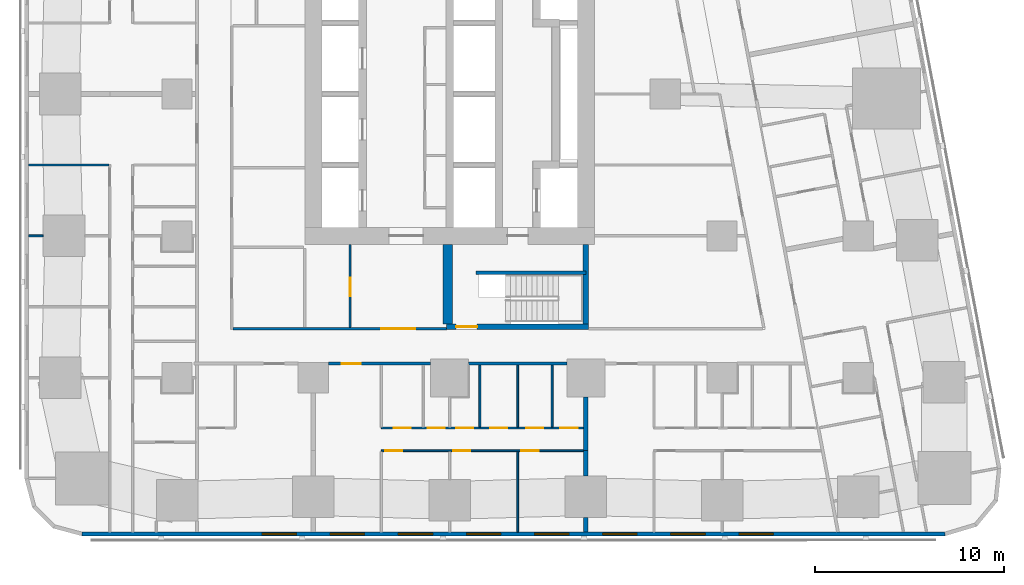
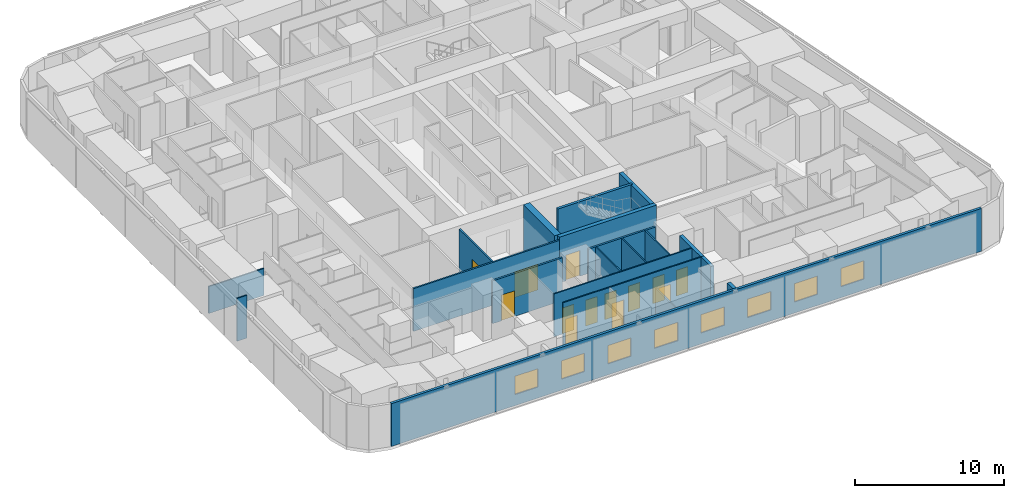
# One storey, part 3 of 15: 20 walls, 13 doors, 8 windows, 21 openings.
"""IFC4 building model written with IfcOpenShell, lengths in metres."""

import ifcopenshell
import ifcopenshell.guid

model = None  # the IFC model being written
_history = None  # IfcOwnerHistory: only IFC2X3 demands one
_inside = {}  # id of a spatial element -> (the spatial element, [elements in it])
_under = {}  # id of a project, library or spatial element -> (it, [spatial elements below it])
_declared = {}  # id of a project -> (the project, [libraries it declares])
_typed = {}  # id of a type object -> (the type object, [elements of that type])
_made_of = {}  # id of a material, layer set ... -> (it, [elements and type objects made of it])


def new_model(schema):
    """Start an empty IFC model of exactly this schema.

    Asked for "IFC4X3", IfcOpenShell would pick the latest addendum, in which some entities
    have other attributes; the version numbers below select the first issue.
    IFC2X3 requires an IfcOwnerHistory on every rooted entity: one is made here for all.
    """
    global model, _history
    if schema == "IFC4X3":
        model = ifcopenshell.file(schema_version=(4, 3, 0, 0))
    else:
        model = ifcopenshell.file(schema=schema)
    _inside.clear()
    _under.clear()
    _declared.clear()
    _typed.clear()
    _made_of.clear()
    _history = None
    if model.schema == "IFC2X3":
        org = make("IfcOrganization", Name="unknown")
        user = make(
            "IfcPersonAndOrganization",
            ThePerson=make("IfcPerson", FamilyName="unknown"),
            TheOrganization=org,
        )
        app = make(
            "IfcApplication",
            ApplicationDeveloper=org,
            Version="unknown",
            ApplicationFullName="unknown",
            ApplicationIdentifier="unknown",
        )
        _history = make(
            "IfcOwnerHistory",
            OwningUser=user,
            OwningApplication=app,
            ChangeAction="ADDED",
            CreationDate=0,
        )
    return model


def make(cls, **values):
    """One entity of the class cls with the attributes given. An attribute that is None is left unset."""
    return model.create_entity(
        cls, **{name: value for name, value in values.items() if value is not None}
    )


def rooted(cls, **values):
    """An entity with a GlobalId (a new one), such as an element, a storey or a relation."""
    return make(cls, GlobalId=ifcopenshell.guid.new(), OwnerHistory=_history, **values)


def si_unit(unit_type, name, prefix=None):
    """IfcSIUnit, for example si_unit("LENGTHUNIT", "METRE", prefix="MILLI")."""
    return make("IfcSIUnit", UnitType=unit_type, Prefix=prefix, Name=name)


def assignment(units):
    """IfcUnitAssignment: the units of a project."""
    return None if units is None else make("IfcUnitAssignment", Units=units)


def point(xyz):
    """IfcCartesianPoint."""
    return None if xyz is None else make("IfcCartesianPoint", Coordinates=xyz)


def direction(xyz):
    """IfcDirection."""
    return None if xyz is None else make("IfcDirection", DirectionRatios=xyz)


def frame(location, z_axis=None, x_axis=None):
    """IfcAxis2Placement3D, a coordinate frame: its origin and axes. An axis left out is left unset."""
    return make(
        "IfcAxis2Placement3D",
        Location=point(location),
        Axis=direction(z_axis),
        RefDirection=direction(x_axis),
    )


def frame_2d(location, x_axis=None):
    """IfcAxis2Placement2D, a coordinate frame in the plane: its origin and x axis."""
    return make(
        "IfcAxis2Placement2D", Location=point(location), RefDirection=direction(x_axis)
    )


def origin():
    """The frame at (0, 0, 0) with its axes left unset."""
    return frame((0.0, 0.0, 0.0))


def place(relative_to, where):
    """IfcLocalPlacement: puts the frame where relative to a parent placement (None: the world)."""
    return make(
        "IfcLocalPlacement", PlacementRelTo=relative_to, RelativePlacement=where
    )


def context(
    kind, dimensions, precision=None, world=None, true_north=None, identifier=None
):
    """IfcGeometricRepresentationContext, for example the 3D "Model" context."""
    return make(
        "IfcGeometricRepresentationContext",
        ContextIdentifier=identifier,
        ContextType=kind,
        CoordinateSpaceDimension=dimensions,
        Precision=precision,
        WorldCoordinateSystem=world,
        TrueNorth=true_north,
    )


def subcontext(parent, identifier, kind, view, scale=None):
    """IfcGeometricRepresentationSubContext, for example "Body" below "Model"."""
    return make(
        "IfcGeometricRepresentationSubContext",
        ContextIdentifier=identifier,
        ContextType=kind,
        ParentContext=parent,
        TargetScale=scale,
        TargetView=view,
    )


def project(units=None, contexts=None):
    """IfcProject with its units and contexts."""
    return rooted(
        "IfcProject",
        Name="project",
        RepresentationContexts=contexts,
        UnitsInContext=assignment(units),
    )


def spatial(cls, under=None, at=None, **own):
    """A site, building, storey or space (cls), placed at a placement, below another one or the project."""
    s = rooted(cls, ObjectPlacement=at, **own)
    if under is not None:
        _under.setdefault(under.id(), (under, []))[1].append(s)
    return s


def profile(cls, at=None, kind="AREA", **sizes):
    """A parametric profile (cls). Its sizes go by their IFC names, for example OverallWidth=200.0."""
    return make(cls, ProfileType=kind, Position=at, **sizes)


def rectangle(**sizes):
    """IfcRectangleProfileDef."""
    return profile("IfcRectangleProfileDef", **sizes)


def extrude(swept, where, along, depth):
    """IfcExtrudedAreaSolid: the profile swept, set in the frame where, extruded along a direction by depth."""
    return make(
        "IfcExtrudedAreaSolid",
        SweptArea=swept,
        Position=where,
        ExtrudedDirection=direction(along),
        Depth=depth,
    )


def shape(context_of_items, identifier, shape_type, items):
    """IfcShapeRepresentation: the items that make up one representation, for example the "Body"."""
    return make(
        "IfcShapeRepresentation",
        ContextOfItems=context_of_items,
        RepresentationIdentifier=identifier,
        RepresentationType=shape_type,
        Items=items,
    )


def material(Name=None, Category=None):
    """IfcMaterial."""
    return make("IfcMaterial", Name=Name, Category=Category)


def layer(
    of_material, thickness, ventilated=None, Name=None, Category=None, Priority=None
):
    """IfcMaterialLayer: one layer of a wall or slab, of a material (None: an air gap)."""
    return make(
        "IfcMaterialLayer",
        Material=of_material,
        LayerThickness=thickness,
        IsVentilated=ventilated,
        Name=Name,
        Category=Category,
        Priority=Priority,
    )


def layer_set(layers, Name=None):
    """IfcMaterialLayerSet."""
    return make("IfcMaterialLayerSet", MaterialLayers=layers, LayerSetName=Name)


def made_of(thing, what):
    """Note that an element or type object is made of a material, layer set ...; save() writes the relation."""
    if what is not None:
        _made_of.setdefault(what.id(), (what, []))[1].append(thing)
    return thing


def type_object(cls, material=None, **own):
    """A type object (cls), such as IfcWallType, which elements share."""
    return made_of(rooted(cls, **own), material)


def element(
    cls,
    number,
    at=None,
    inside=None,
    cuts=None,
    type_object=None,
    material=None,
    context=None,
    identifier="Body",
    shape_type=None,
    held_by="IfcProductDefinitionShape",
    body=None,
    shapes=None,
    **own,
):
    """One element of the class cls, such as IfcWall. Its Tag is "e" and its number.

    at: its placement. inside: the storey or other place that contains it. cuts: it is an
    opening in that element (IfcRelVoidsElement). A single representation is given by context,
    identifier, shape_type and body (its items); several are given by shapes. held_by: the class
    of the entity that holds the representations. save() writes the other relations.
    """
    e = rooted(cls, Tag="e%d" % number, ObjectPlacement=at, **own)
    if body is not None:
        shapes = [shape(context, identifier, shape_type, body)]
    if shapes is not None:
        e.Representation = make(held_by, Representations=shapes)
    if inside is not None:
        _inside.setdefault(inside.id(), (inside, []))[1].append(e)
    if cuts is not None:
        rooted(
            "IfcRelVoidsElement", RelatingBuildingElement=cuts, RelatedOpeningElement=e
        )
    if type_object is not None:
        _typed.setdefault(type_object.id(), (type_object, []))[1].append(e)
    return made_of(e, material)


def fill(opening, filler):
    """IfcRelFillsElement: the door or window that sits in an opening."""
    return rooted(
        "IfcRelFillsElement",
        RelatingOpeningElement=opening,
        RelatedBuildingElement=filler,
    )


def aggregate(whole, parts):
    """IfcRelAggregates: a whole, such as a stair, and the parts it consists of."""
    return rooted("IfcRelAggregates", RelatingObject=whole, RelatedObjects=parts)


def save(model, path):
    """Write the relations noted so far, then the file.

    IfcRelAggregates (storeys below a building ...), IfcRelContainedInSpatialStructure (elements
    in a storey), IfcRelDefinesByType, IfcRelAssociatesMaterial and IfcRelDeclares: one each for
    every whole, place, type object, material and project.
    """
    for whole, parts in _under.values():
        aggregate(whole, parts)
    for where, things in _inside.values():
        rooted(
            "IfcRelContainedInSpatialStructure",
            RelatedElements=things,
            RelatingStructure=where,
        )
    for kind, things in _typed.values():
        rooted("IfcRelDefinesByType", RelatedObjects=things, RelatingType=kind)
    for what, things in _made_of.values():
        rooted("IfcRelAssociatesMaterial", RelatedObjects=things, RelatingMaterial=what)
    for by, libraries in _declared.values():
        rooted("IfcRelDeclares", RelatingContext=by, RelatedDefinitions=libraries)
    model.write(path)


model = new_model("IFC4")

# Units and contexts
model_context = context("Model", 3, precision=1e-05, world=origin(), true_north=direction((0.0, 1.0)))
body_context = subcontext(model_context, "Body", "Model", "MODEL_VIEW")
ifc_project = project(units=[si_unit("LENGTHUNIT", "METRE"), si_unit("AREAUNIT", "SQUARE_METRE"), si_unit("VOLUMEUNIT", "CUBIC_METRE"), si_unit("PLANEANGLEUNIT", "RADIAN"), si_unit("MASSUNIT", "GRAM", prefix="KILO")], contexts=[model_context])

# Site, building, storey
site_placement = place(None, origin())
site = spatial("IfcSite", under=ifc_project, at=site_placement, CompositionType="ELEMENT")
building_placement = place(site_placement, origin())
building = spatial("IfcBuilding", under=site, at=building_placement, Name="Sheger Commons Tower", CompositionType="ELEMENT")
storey_placement = place(building_placement, frame((0.0, 0.0, 77.89990234375)))
storey = spatial("IfcBuildingStorey", under=building, at=storey_placement, Name="L19", CompositionType="ELEMENT", Elevation=77.89990234375)

# Wall
ifc_material_1 = material(Name="Hollow concrete block masonry, skimmed both sides", Category="masonry")
ifc_layer_1 = layer(ifc_material_1, 0.14990234375)
ifc_layer_set_1 = layer_set([ifc_layer_1], Name="CORRIDOR WALL 150")
wall_type_1 = type_object("IfcWallType", Name="CORRIDOR WALL 150", PredefinedType="SOLIDWALL", material=ifc_layer_set_1)
wall_1_placement = place(storey_placement, frame((27.799072265625, 8.25, 0.0), z_axis=(0.0, 0.0, 1.0), x_axis=(-1.0, 0.0, 0.0)))
element("IfcWall", 1, at=wall_1_placement, inside=storey, type_object=wall_type_1, Name="Corridor wall L19", PredefinedType="SOLIDWALL", context=body_context, shape_type="SweptSolid", body=[
    extrude(rectangle(XDim=5.197998046875, YDim=0.14990234375, at=frame_2d((2.59912109375, 0.0))), origin(), (0.0, 0.0, 1.0), 3.5),
])

# Wall, opening, door
wall_2_placement = place(storey_placement, frame((20.59912109375, 8.25, 0.0), z_axis=(0.0, 0.0, 1.0), x_axis=(-1.0, 0.0, 0.0)))
wall_2 = element("IfcWall", 2, at=wall_2_placement, inside=storey, type_object=wall_type_1, Name="Corridor wall L19", PredefinedType="SOLIDWALL", context=body_context, shape_type="SweptSolid", body=[
    extrude(rectangle(XDim=5.398193359375, YDim=0.14990234375, at=frame_2d((2.69921875, 0.0))), origin(), (0.0, 0.0, 1.0), 3.5),
])
opening_1_placement = place(wall_2_placement, frame((3.698974609375, 0.0, 0.0)))
opening_1 = element("IfcOpeningElement", 3, at=opening_1_placement, cuts=wall_2, Name="Opening D1", PredefinedType="OPENING", context=body_context, shape_type="SweptSolid", body=[
    extrude(rectangle(XDim=1.0, YDim=2.10009765625, at=frame_2d((0.5, 1.050048828125))), frame((0.0, 0.0849609375, 0.0), z_axis=(0.0, -1.0, 0.0), x_axis=(1.0, 0.0, 0.0)), (0.0, 0.0, 1.0), 0.169921875),
])
ifc_material_2 = material(Name="Steel door set, fire rated", Category="steel")
door_type_1 = type_object("IfcDoorType", Name="FLAT ENTRANCE DOOR 1000x2100", OperationType="NOTDEFINED", PredefinedType="DOOR", material=ifc_material_2)
door_1_placement = place(opening_1_placement, origin())
door_1 = element("IfcDoor", 4, at=door_1_placement, inside=storey, type_object=door_type_1, Name="Flat entrance door", OperationType="SINGLE_SWING_RIGHT", OverallHeight=2.10009765625, OverallWidth=1.0, PredefinedType="DOOR", context=body_context, shape_type="SweptSolid", body=[
    extrude(rectangle(XDim=1.0, YDim=2.10009765625, at=frame_2d((0.5, 1.050048828125))), frame((0.0, 0.02490234375, 0.0), z_axis=(0.0, -1.0, 0.0), x_axis=(1.0, 0.0, 0.0)), (0.0, 0.0, 1.0), 0.050048828125),
])
fill(opening_1, door_1)

# Walls
ifc_material_3 = material(Name="Dense concrete block masonry, plastered both sides (separating wall between flats)", Category="masonry")
ifc_layer_2 = layer(ifc_material_3, 0.25)
ifc_layer_set_2 = layer_set([ifc_layer_2], Name="DEMISING WALL 250")
wall_type_2 = type_object("IfcWallType", Name="DEMISING WALL 250", PredefinedType="SOLIDWALL", material=ifc_layer_set_2)
wall_3_placement = place(storey_placement, frame((28.800048828125, -0.64990234375, 0.0), z_axis=(0.0, 0.0, 1.0), x_axis=(0.0, 1.0, 0.0)))
element("IfcWall", 5, at=wall_3_placement, inside=storey, type_object=wall_type_2, Name="Demising wall L19", PredefinedType="SOLIDWALL", context=body_context, shape_type="SweptSolid", body=[
    extrude(rectangle(XDim=0.77392578125, YDim=0.25, at=frame_2d((0.386962890625, 0.0))), origin(), (0.0, 0.0, 1.0), 3.5),
])
wall_4_placement = place(storey_placement, frame((28.800048828125, 2.325927734375, 0.0), z_axis=(0.0, 0.0, 1.0), x_axis=(0.0, 1.0, 0.0)))
element("IfcWall", 6, at=wall_4_placement, inside=storey, type_object=wall_type_2, Name="Demising wall L19", PredefinedType="SOLIDWALL", context=body_context, shape_type="SweptSolid", body=[
    extrude(rectangle(XDim=1.323974609375, YDim=0.25, at=frame_2d((0.662109375, 0.0))), origin(), (0.0, 0.0, 1.0), 3.5),
])
wall_5_placement = place(storey_placement, frame((28.800048828125, 3.64990234375, 0.0), z_axis=(0.0, 0.0, 1.0), x_axis=(0.0, 1.0, 0.0)))
element("IfcWall", 7, at=wall_5_placement, inside=storey, type_object=wall_type_2, Name="Demising wall L19", PredefinedType="SOLIDWALL", context=body_context, shape_type="SweptSolid", body=[
    extrude(rectangle(XDim=2.84912109375, YDim=0.25, at=frame_2d((1.424560546875, 0.0))), origin(), (0.0, 0.0, 1.0), 3.5),
])

# Wall, openings, windows
ifc_material_4 = material(Name="Rendered concrete block masonry, dark grey", Category="masonry")
ifc_layer_3 = layer(ifc_material_4, 0.199951171875)
ifc_layer_set_3 = layer_set([ifc_layer_3], Name="FACADE WALL 200")
wall_type_3 = type_object("IfcWallType", Name="FACADE WALL 200", PredefinedType="SOLIDWALL", material=ifc_layer_set_3)
wall_6_placement = place(storey_placement, frame((2.1630859375, -0.75, 0.0), z_axis=(0.0, 0.0, 1.0), x_axis=(1.0, 0.0, 0.0)))
wall_6 = element("IfcWall", 8, at=wall_6_placement, inside=storey, type_object=wall_type_3, Name="Facade wall L19", PredefinedType="SOLIDWALL", context=body_context, shape_type="SweptSolid", body=[
    extrude(rectangle(XDim=45.6279296875, YDim=0.199951171875, at=frame_2d((22.81396484375, 0.0))), origin(), (0.0, 0.0, 1.0), 3.5),
])
opening_2_placement = place(wall_6_placement, frame((9.537109375, 0.0, 0.89990234375)))
opening_2 = element("IfcOpeningElement", 9, at=opening_2_placement, cuts=wall_6, Name="Opening W2", PredefinedType="OPENING", context=body_context, shape_type="SweptSolid", body=[
    extrude(rectangle(XDim=1.800048828125, YDim=1.5, at=frame_2d((0.89990234375, 0.75))), frame((0.0, 0.10986328125, 0.0), z_axis=(0.0, -1.0, 0.0), x_axis=(1.0, 0.0, 0.0)), (0.0, 0.0, 1.0), 0.219970703125),
])
opening_3_placement = place(wall_6_placement, frame((13.136962890625, 0.0, 0.89990234375)))
opening_3 = element("IfcOpeningElement", 10, at=opening_3_placement, cuts=wall_6, Name="Opening W2", PredefinedType="OPENING", context=body_context, shape_type="SweptSolid", body=[
    extrude(rectangle(XDim=1.800048828125, YDim=1.5, at=frame_2d((0.89990234375, 0.75))), frame((0.0, 0.10986328125, 0.0), z_axis=(0.0, -1.0, 0.0), x_axis=(1.0, 0.0, 0.0)), (0.0, 0.0, 1.0), 0.219970703125),
])
opening_4_placement = place(wall_6_placement, frame((16.737060546875, 0.0, 0.89990234375)))
opening_4 = element("IfcOpeningElement", 11, at=opening_4_placement, cuts=wall_6, Name="Opening W2", PredefinedType="OPENING", context=body_context, shape_type="SweptSolid", body=[
    extrude(rectangle(XDim=1.800048828125, YDim=1.5, at=frame_2d((0.89990234375, 0.75))), frame((0.0, 0.10986328125, 0.0), z_axis=(0.0, -1.0, 0.0), x_axis=(1.0, 0.0, 0.0)), (0.0, 0.0, 1.0), 0.219970703125),
])
opening_5_placement = place(wall_6_placement, frame((20.3369140625, 0.0, 0.89990234375)))
opening_5 = element("IfcOpeningElement", 12, at=opening_5_placement, cuts=wall_6, Name="Opening W2", PredefinedType="OPENING", context=body_context, shape_type="SweptSolid", body=[
    extrude(rectangle(XDim=1.800048828125, YDim=1.5, at=frame_2d((0.89990234375, 0.75))), frame((0.0, 0.10986328125, 0.0), z_axis=(0.0, -1.0, 0.0), x_axis=(1.0, 0.0, 0.0)), (0.0, 0.0, 1.0), 0.219970703125),
])
opening_6_placement = place(wall_6_placement, frame((23.93701171875, 0.0, 0.89990234375)))
opening_6 = element("IfcOpeningElement", 13, at=opening_6_placement, cuts=wall_6, Name="Opening W2", PredefinedType="OPENING", context=body_context, shape_type="SweptSolid", body=[
    extrude(rectangle(XDim=1.800048828125, YDim=1.5, at=frame_2d((0.89990234375, 0.75))), frame((0.0, 0.10986328125, 0.0), z_axis=(0.0, -1.0, 0.0), x_axis=(1.0, 0.0, 0.0)), (0.0, 0.0, 1.0), 0.219970703125),
])
opening_7_placement = place(wall_6_placement, frame((27.537109375, 0.0, 0.89990234375)))
opening_7 = element("IfcOpeningElement", 14, at=opening_7_placement, cuts=wall_6, Name="Opening W2", PredefinedType="OPENING", context=body_context, shape_type="SweptSolid", body=[
    extrude(rectangle(XDim=1.800048828125, YDim=1.5, at=frame_2d((0.89990234375, 0.75))), frame((0.0, 0.10986328125, 0.0), z_axis=(0.0, -1.0, 0.0), x_axis=(1.0, 0.0, 0.0)), (0.0, 0.0, 1.0), 0.219970703125),
])
opening_8_placement = place(wall_6_placement, frame((31.136962890625, 0.0, 0.89990234375)))
opening_8 = element("IfcOpeningElement", 15, at=opening_8_placement, cuts=wall_6, Name="Opening W2", PredefinedType="OPENING", context=body_context, shape_type="SweptSolid", body=[
    extrude(rectangle(XDim=1.800048828125, YDim=1.5, at=frame_2d((0.89990234375, 0.75))), frame((0.0, 0.10986328125, 0.0), z_axis=(0.0, -1.0, 0.0), x_axis=(1.0, 0.0, 0.0)), (0.0, 0.0, 1.0), 0.219970703125),
])
opening_9_placement = place(wall_6_placement, frame((34.737060546875, 0.0, 0.89990234375)))
opening_9 = element("IfcOpeningElement", 16, at=opening_9_placement, cuts=wall_6, Name="Opening W2", PredefinedType="OPENING", context=body_context, shape_type="SweptSolid", body=[
    extrude(rectangle(XDim=1.800048828125, YDim=1.5, at=frame_2d((0.89990234375, 0.75))), frame((0.0, 0.10986328125, 0.0), z_axis=(0.0, -1.0, 0.0), x_axis=(1.0, 0.0, 0.0)), (0.0, 0.0, 1.0), 0.219970703125),
])
ifc_material_5 = material(Name="Black aluminium frame, dark tinted double glazing", Category="aluminium")
window_type = type_object("IfcWindowType", Name="WINDOW W2 1800x1500", PartitioningType="SINGLE_PANEL", PredefinedType="WINDOW", material=ifc_material_5)
window_1_placement = place(opening_2_placement, origin())
window_1 = element("IfcWindow", 17, at=window_1_placement, inside=storey, type_object=window_type, Name="Window W2 1800X1500", OverallHeight=1.5, OverallWidth=1.800048828125, PartitioningType="SINGLE_PANEL", PredefinedType="WINDOW", context=body_context, shape_type="SweptSolid", body=[
    extrude(rectangle(XDim=1.800048828125, YDim=1.5, at=frame_2d((0.89990234375, 0.75))), frame((0.0, 0.030029296875, 0.0), z_axis=(0.0, -1.0, 0.0), x_axis=(1.0, 0.0, 0.0)), (0.0, 0.0, 1.0), 0.06005859375),
])
fill(opening_2, window_1)
window_2_placement = place(opening_3_placement, origin())
window_2 = element("IfcWindow", 18, at=window_2_placement, inside=storey, type_object=window_type, Name="Window W2 1800X1500", OverallHeight=1.5, OverallWidth=1.800048828125, PartitioningType="SINGLE_PANEL", PredefinedType="WINDOW", context=body_context, shape_type="SweptSolid", body=[
    extrude(rectangle(XDim=1.800048828125, YDim=1.5, at=frame_2d((0.89990234375, 0.75))), frame((0.0, 0.030029296875, 0.0), z_axis=(0.0, -1.0, 0.0), x_axis=(1.0, 0.0, 0.0)), (0.0, 0.0, 1.0), 0.06005859375),
])
fill(opening_3, window_2)
window_3_placement = place(opening_4_placement, origin())
window_3 = element("IfcWindow", 19, at=window_3_placement, inside=storey, type_object=window_type, Name="Window W2 1800X1500", OverallHeight=1.5, OverallWidth=1.800048828125, PartitioningType="SINGLE_PANEL", PredefinedType="WINDOW", context=body_context, shape_type="SweptSolid", body=[
    extrude(rectangle(XDim=1.800048828125, YDim=1.5, at=frame_2d((0.89990234375, 0.75))), frame((0.0, 0.030029296875, 0.0), z_axis=(0.0, -1.0, 0.0), x_axis=(1.0, 0.0, 0.0)), (0.0, 0.0, 1.0), 0.06005859375),
])
fill(opening_4, window_3)
window_4_placement = place(opening_5_placement, origin())
window_4 = element("IfcWindow", 20, at=window_4_placement, inside=storey, type_object=window_type, Name="Window W2 1800X1500", OverallHeight=1.5, OverallWidth=1.800048828125, PartitioningType="SINGLE_PANEL", PredefinedType="WINDOW", context=body_context, shape_type="SweptSolid", body=[
    extrude(rectangle(XDim=1.800048828125, YDim=1.5, at=frame_2d((0.89990234375, 0.75))), frame((0.0, 0.030029296875, 0.0), z_axis=(0.0, -1.0, 0.0), x_axis=(1.0, 0.0, 0.0)), (0.0, 0.0, 1.0), 0.06005859375),
])
fill(opening_5, window_4)
window_5_placement = place(opening_6_placement, origin())
window_5 = element("IfcWindow", 21, at=window_5_placement, inside=storey, type_object=window_type, Name="Window W2 1800X1500", OverallHeight=1.5, OverallWidth=1.800048828125, PartitioningType="SINGLE_PANEL", PredefinedType="WINDOW", context=body_context, shape_type="SweptSolid", body=[
    extrude(rectangle(XDim=1.800048828125, YDim=1.5, at=frame_2d((0.89990234375, 0.75))), frame((0.0, 0.030029296875, 0.0), z_axis=(0.0, -1.0, 0.0), x_axis=(1.0, 0.0, 0.0)), (0.0, 0.0, 1.0), 0.06005859375),
])
fill(opening_6, window_5)
window_6_placement = place(opening_7_placement, origin())
window_6 = element("IfcWindow", 22, at=window_6_placement, inside=storey, type_object=window_type, Name="Window W2 1800X1500", OverallHeight=1.5, OverallWidth=1.800048828125, PartitioningType="SINGLE_PANEL", PredefinedType="WINDOW", context=body_context, shape_type="SweptSolid", body=[
    extrude(rectangle(XDim=1.800048828125, YDim=1.5, at=frame_2d((0.89990234375, 0.75))), frame((0.0, 0.030029296875, 0.0), z_axis=(0.0, -1.0, 0.0), x_axis=(1.0, 0.0, 0.0)), (0.0, 0.0, 1.0), 0.06005859375),
])
fill(opening_7, window_6)
window_7_placement = place(opening_8_placement, origin())
window_7 = element("IfcWindow", 23, at=window_7_placement, inside=storey, type_object=window_type, Name="Window W2 1800X1500", OverallHeight=1.5, OverallWidth=1.800048828125, PartitioningType="SINGLE_PANEL", PredefinedType="WINDOW", context=body_context, shape_type="SweptSolid", body=[
    extrude(rectangle(XDim=1.800048828125, YDim=1.5, at=frame_2d((0.89990234375, 0.75))), frame((0.0, 0.030029296875, 0.0), z_axis=(0.0, -1.0, 0.0), x_axis=(1.0, 0.0, 0.0)), (0.0, 0.0, 1.0), 0.06005859375),
])
fill(opening_8, window_7)
window_8_placement = place(opening_9_placement, origin())
window_8 = element("IfcWindow", 24, at=window_8_placement, inside=storey, type_object=window_type, Name="Window W2 1800X1500", OverallHeight=1.5, OverallWidth=1.800048828125, PartitioningType="SINGLE_PANEL", PredefinedType="WINDOW", context=body_context, shape_type="SweptSolid", body=[
    extrude(rectangle(XDim=1.800048828125, YDim=1.5, at=frame_2d((0.89990234375, 0.75))), frame((0.0, 0.030029296875, 0.0), z_axis=(0.0, -1.0, 0.0), x_axis=(1.0, 0.0, 0.0)), (0.0, 0.0, 1.0), 0.06005859375),
])
fill(opening_9, window_8)

# Walls
ifc_material_6 = material(Name="Gypsum board on steel studs", Category="steel")
ifc_layer_4 = layer(ifc_material_6, 0.10009765625)
ifc_layer_set_4 = layer_set([ifc_layer_4], Name="PARTITION 100")
wall_type_4 = type_object("IfcWallType", Name="PARTITION 100", PredefinedType="PARTITIONING", material=ifc_layer_set_4)
wall_7_placement = place(storey_placement, frame((-0.64990234375, 15.0, 0.0), z_axis=(0.0, 0.0, 1.0), x_axis=(1.0, 0.0, 0.0)))
element("IfcWall", 25, at=wall_7_placement, inside=storey, type_object=wall_type_4, Name="Partition L19", PredefinedType="PARTITIONING", context=body_context, shape_type="SweptSolid", body=[
    extrude(rectangle(XDim=0.77392578125, YDim=0.10009765625, at=frame_2d((0.386962890625, 0.0))), origin(), (0.0, 0.0, 1.0), 3.5),
])
wall_8_placement = place(storey_placement, frame((-0.64990234375, 18.75, 0.0), z_axis=(0.0, 0.0, 1.0), x_axis=(1.0, 0.0, 0.0)))
element("IfcWall", 26, at=wall_8_placement, inside=storey, type_object=wall_type_4, Name="Partition L19", PredefinedType="PARTITIONING", context=body_context, shape_type="SweptSolid", body=[
    extrude(rectangle(XDim=4.25, YDim=0.10009765625, at=frame_2d((2.125, 0.0))), origin(), (0.0, 0.0, 1.0), 2.2001953125),
])

# Wall, openings, doors
wall_9_placement = place(storey_placement, frame((28.675048828125, 3.64990234375, 0.0), z_axis=(0.0, 0.0, 1.0), x_axis=(-1.0, 0.0, 0.0)))
wall_9 = element("IfcWall", 27, at=wall_9_placement, inside=storey, type_object=wall_type_4, Name="Partition L19", PredefinedType="PARTITIONING", context=body_context, shape_type="SweptSolid", body=[
    extrude(rectangle(XDim=10.675048828125, YDim=0.10009765625, at=frame_2d((5.33740234375, 0.0))), origin(), (0.0, 0.0, 1.0), 3.5),
])
opening_10_placement = place(wall_9_placement, frame((9.574951171875, 0.0, 0.0)))
opening_10 = element("IfcOpeningElement", 28, at=opening_10_placement, cuts=wall_9, Name="Opening D2", PredefinedType="OPENING", context=body_context, shape_type="SweptSolid", body=[
    extrude(rectangle(XDim=0.89990234375, YDim=2.10009765625, at=frame_2d((0.449951171875, 1.050048828125))), frame((0.0, 0.06005859375, 0.0), z_axis=(0.0, -1.0, 0.0), x_axis=(1.0, 0.0, 0.0)), (0.0, 0.0, 1.0), 0.1201171875),
])
opening_11_placement = place(wall_9_placement, frame((5.97509765625, 0.0, 0.0)))
opening_11 = element("IfcOpeningElement", 29, at=opening_11_placement, cuts=wall_9, Name="Opening D2", PredefinedType="OPENING", context=body_context, shape_type="SweptSolid", body=[
    extrude(rectangle(XDim=0.89990234375, YDim=2.10009765625, at=frame_2d((0.449951171875, 1.050048828125))), frame((0.0, 0.06005859375, 0.0), z_axis=(0.0, -1.0, 0.0), x_axis=(1.0, 0.0, 0.0)), (0.0, 0.0, 1.0), 0.1201171875),
])
opening_12_placement = place(wall_9_placement, frame((2.375, 0.0, 0.0)))
opening_12 = element("IfcOpeningElement", 30, at=opening_12_placement, cuts=wall_9, Name="Opening D2", PredefinedType="OPENING", context=body_context, shape_type="SweptSolid", body=[
    extrude(rectangle(XDim=0.89990234375, YDim=2.10009765625, at=frame_2d((0.449951171875, 1.050048828125))), frame((0.0, 0.06005859375, 0.0), z_axis=(0.0, -1.0, 0.0), x_axis=(1.0, 0.0, 0.0)), (0.0, 0.0, 1.0), 0.1201171875),
])
ifc_material_7 = material(Name="Timber door set", Category="wood")
door_type_2 = type_object("IfcDoorType", Name="INTERNAL DOOR 900x2100", OperationType="NOTDEFINED", PredefinedType="DOOR", material=ifc_material_7)
door_2_placement = place(opening_10_placement, origin())
door_2 = element("IfcDoor", 31, at=door_2_placement, inside=storey, type_object=door_type_2, Name="Main bedroom door", OperationType="SINGLE_SWING_RIGHT", OverallHeight=2.10009765625, OverallWidth=0.89990234375, PredefinedType="DOOR", context=body_context, shape_type="SweptSolid", body=[
    extrude(rectangle(XDim=0.89990234375, YDim=2.10009765625, at=frame_2d((0.449951171875, 1.050048828125))), frame((0.0, 0.02490234375, 0.0), z_axis=(0.0, -1.0, 0.0), x_axis=(1.0, 0.0, 0.0)), (0.0, 0.0, 1.0), 0.050048828125),
])
fill(opening_10, door_2)
door_3_placement = place(opening_11_placement, origin())
door_3 = element("IfcDoor", 32, at=door_3_placement, inside=storey, type_object=door_type_2, Name="Bedroom 2 door", OperationType="SINGLE_SWING_RIGHT", OverallHeight=2.10009765625, OverallWidth=0.89990234375, PredefinedType="DOOR", context=body_context, shape_type="SweptSolid", body=[
    extrude(rectangle(XDim=0.89990234375, YDim=2.10009765625, at=frame_2d((0.449951171875, 1.050048828125))), frame((0.0, 0.02490234375, 0.0), z_axis=(0.0, -1.0, 0.0), x_axis=(1.0, 0.0, 0.0)), (0.0, 0.0, 1.0), 0.050048828125),
])
fill(opening_11, door_3)
door_4_placement = place(opening_12_placement, origin())
door_4 = element("IfcDoor", 33, at=door_4_placement, inside=storey, type_object=door_type_2, Name="Bedroom 3 door", OperationType="SINGLE_SWING_RIGHT", OverallHeight=2.10009765625, OverallWidth=0.89990234375, PredefinedType="DOOR", context=body_context, shape_type="SweptSolid", body=[
    extrude(rectangle(XDim=0.89990234375, YDim=2.10009765625, at=frame_2d((0.449951171875, 1.050048828125))), frame((0.0, 0.02490234375, 0.0), z_axis=(0.0, -1.0, 0.0), x_axis=(1.0, 0.0, 0.0)), (0.0, 0.0, 1.0), 0.050048828125),
])
fill(opening_12, door_4)

wall_10_placement = place(storey_placement, frame((28.675048828125, 4.85009765625, 0.0), z_axis=(0.0, 0.0, 1.0), x_axis=(-1.0, 0.0, 0.0)))
wall_10 = element("IfcWall", 34, at=wall_10_placement, inside=storey, type_object=wall_type_4, Name="Partition L19", PredefinedType="PARTITIONING", context=body_context, shape_type="SweptSolid", body=[
    extrude(rectangle(XDim=10.675048828125, YDim=0.10009765625, at=frame_2d((5.33740234375, 0.0))), origin(), (0.0, 0.0, 1.0), 3.5),
])
opening_13_placement = place(wall_10_placement, frame((9.1201171875, 0.0, 0.0)))
opening_13 = element("IfcOpeningElement", 35, at=opening_13_placement, cuts=wall_10, Name="Opening D2", PredefinedType="OPENING", context=body_context, shape_type="SweptSolid", body=[
    extrude(rectangle(XDim=0.89990234375, YDim=2.10009765625, at=frame_2d((0.449951171875, 1.050048828125))), frame((0.0, 0.06005859375, 0.0), z_axis=(0.0, -1.0, 0.0), x_axis=(1.0, 0.0, 0.0)), (0.0, 0.0, 1.0), 0.1201171875),
])
opening_14_placement = place(wall_10_placement, frame((5.824951171875, 0.0, 0.0)))
opening_14 = element("IfcOpeningElement", 36, at=opening_14_placement, cuts=wall_10, Name="Opening D2", PredefinedType="OPENING", context=body_context, shape_type="SweptSolid", body=[
    extrude(rectangle(XDim=0.89990234375, YDim=2.10009765625, at=frame_2d((0.449951171875, 1.050048828125))), frame((0.0, 0.06005859375, 0.0), z_axis=(0.0, -1.0, 0.0), x_axis=(1.0, 0.0, 0.0)), (0.0, 0.0, 1.0), 0.1201171875),
])
opening_15_placement = place(wall_10_placement, frame((2.114990234375, 0.0, 0.0)))
opening_15 = element("IfcOpeningElement", 37, at=opening_15_placement, cuts=wall_10, Name="Opening D2", PredefinedType="OPENING", context=body_context, shape_type="SweptSolid", body=[
    extrude(rectangle(XDim=0.89990234375, YDim=2.10009765625, at=frame_2d((0.449951171875, 1.050048828125))), frame((0.0, 0.06005859375, 0.0), z_axis=(0.0, -1.0, 0.0), x_axis=(1.0, 0.0, 0.0)), (0.0, 0.0, 1.0), 0.1201171875),
])
opening_16_placement = place(wall_10_placement, frame((7.320068359375, 0.0, 0.0)))
opening_16 = element("IfcOpeningElement", 38, at=opening_16_placement, cuts=wall_10, Name="Opening D2", PredefinedType="OPENING", context=body_context, shape_type="SweptSolid", body=[
    extrude(rectangle(XDim=0.89990234375, YDim=2.10009765625, at=frame_2d((0.449951171875, 1.050048828125))), frame((0.0, 0.06005859375, 0.0), z_axis=(0.0, -1.0, 0.0), x_axis=(1.0, 0.0, 0.0)), (0.0, 0.0, 1.0), 0.1201171875),
])
opening_17_placement = place(wall_10_placement, frame((4.02490234375, 0.0, 0.0)))
opening_17 = element("IfcOpeningElement", 39, at=opening_17_placement, cuts=wall_10, Name="Opening D2", PredefinedType="OPENING", context=body_context, shape_type="SweptSolid", body=[
    extrude(rectangle(XDim=0.89990234375, YDim=2.10009765625, at=frame_2d((0.449951171875, 1.050048828125))), frame((0.0, 0.06005859375, 0.0), z_axis=(0.0, -1.0, 0.0), x_axis=(1.0, 0.0, 0.0)), (0.0, 0.0, 1.0), 0.1201171875),
])
opening_18_placement = place(wall_10_placement, frame((0.31494140625, 0.0, 0.0)))
opening_18 = element("IfcOpeningElement", 40, at=opening_18_placement, cuts=wall_10, Name="Opening D2", PredefinedType="OPENING", context=body_context, shape_type="SweptSolid", body=[
    extrude(rectangle(XDim=0.89990234375, YDim=2.10009765625, at=frame_2d((0.449951171875, 1.050048828125))), frame((0.0, 0.06005859375, 0.0), z_axis=(0.0, -1.0, 0.0), x_axis=(1.0, 0.0, 0.0)), (0.0, 0.0, 1.0), 0.1201171875),
])
door_5_placement = place(opening_13_placement, origin())
door_5 = element("IfcDoor", 41, at=door_5_placement, inside=storey, type_object=door_type_2, Name="Bathroom door", OperationType="SINGLE_SWING_LEFT", OverallHeight=2.10009765625, OverallWidth=0.89990234375, PredefinedType="DOOR", context=body_context, shape_type="SweptSolid", body=[
    extrude(rectangle(XDim=0.89990234375, YDim=2.10009765625, at=frame_2d((0.449951171875, 1.050048828125))), frame((0.0, 0.02490234375, 0.0), z_axis=(0.0, -1.0, 0.0), x_axis=(1.0, 0.0, 0.0)), (0.0, 0.0, 1.0), 0.050048828125),
])
fill(opening_13, door_5)
door_6_placement = place(opening_14_placement, origin())
door_6 = element("IfcDoor", 42, at=door_6_placement, inside=storey, type_object=door_type_2, Name="Shower room door", OperationType="SINGLE_SWING_LEFT", OverallHeight=2.10009765625, OverallWidth=0.89990234375, PredefinedType="DOOR", context=body_context, shape_type="SweptSolid", body=[
    extrude(rectangle(XDim=0.89990234375, YDim=2.10009765625, at=frame_2d((0.449951171875, 1.050048828125))), frame((0.0, 0.02490234375, 0.0), z_axis=(0.0, -1.0, 0.0), x_axis=(1.0, 0.0, 0.0)), (0.0, 0.0, 1.0), 0.050048828125),
])
fill(opening_14, door_6)
door_7_placement = place(opening_15_placement, origin())
door_7 = element("IfcDoor", 43, at=door_7_placement, inside=storey, type_object=door_type_2, Name="Laundry room door", OperationType="SINGLE_SWING_LEFT", OverallHeight=2.10009765625, OverallWidth=0.89990234375, PredefinedType="DOOR", context=body_context, shape_type="SweptSolid", body=[
    extrude(rectangle(XDim=0.89990234375, YDim=2.10009765625, at=frame_2d((0.449951171875, 1.050048828125))), frame((0.0, 0.02490234375, 0.0), z_axis=(0.0, -1.0, 0.0), x_axis=(1.0, 0.0, 0.0)), (0.0, 0.0, 1.0), 0.050048828125),
])
fill(opening_15, door_7)
door_8_placement = place(opening_16_placement, origin())
door_8 = element("IfcDoor", 44, at=door_8_placement, inside=storey, type_object=door_type_2, Name="Store door", OperationType="SINGLE_SWING_RIGHT", OverallHeight=2.10009765625, OverallWidth=0.89990234375, PredefinedType="DOOR", context=body_context, shape_type="SweptSolid", body=[
    extrude(rectangle(XDim=0.89990234375, YDim=2.10009765625, at=frame_2d((0.449951171875, 1.050048828125))), frame((0.0, 0.02490234375, 0.0), z_axis=(0.0, -1.0, 0.0), x_axis=(1.0, 0.0, 0.0)), (0.0, 0.0, 1.0), 0.050048828125),
])
fill(opening_16, door_8)
door_9_placement = place(opening_17_placement, origin())
door_9 = element("IfcDoor", 45, at=door_9_placement, inside=storey, type_object=door_type_2, Name="Store door", OperationType="SINGLE_SWING_RIGHT", OverallHeight=2.10009765625, OverallWidth=0.89990234375, PredefinedType="DOOR", context=body_context, shape_type="SweptSolid", body=[
    extrude(rectangle(XDim=0.89990234375, YDim=2.10009765625, at=frame_2d((0.449951171875, 1.050048828125))), frame((0.0, 0.02490234375, 0.0), z_axis=(0.0, -1.0, 0.0), x_axis=(1.0, 0.0, 0.0)), (0.0, 0.0, 1.0), 0.050048828125),
])
fill(opening_17, door_9)
door_10_placement = place(opening_18_placement, origin())
door_10 = element("IfcDoor", 46, at=door_10_placement, inside=storey, type_object=door_type_2, Name="Store door", OperationType="SINGLE_SWING_RIGHT", OverallHeight=2.10009765625, OverallWidth=0.89990234375, PredefinedType="DOOR", context=body_context, shape_type="SweptSolid", body=[
    extrude(rectangle(XDim=0.89990234375, YDim=2.10009765625, at=frame_2d((0.449951171875, 1.050048828125))), frame((0.0, 0.02490234375, 0.0), z_axis=(0.0, -1.0, 0.0), x_axis=(1.0, 0.0, 0.0)), (0.0, 0.0, 1.0), 0.050048828125),
])
fill(opening_18, door_10)

# Walls
wall_11_placement = place(storey_placement, frame((25.199951171875, -0.64990234375, 0.0), z_axis=(0.0, 0.0, 1.0), x_axis=(0.0, 1.0, 0.0)))
element("IfcWall", 47, at=wall_11_placement, inside=storey, type_object=wall_type_4, Name="Partition L19", PredefinedType="PARTITIONING", context=body_context, shape_type="SweptSolid", body=[
    extrude(rectangle(XDim=4.25, YDim=0.10009765625, at=frame_2d((2.125, 0.0))), origin(), (0.0, 0.0, 1.0), 2.2001953125),
])
for number, where, z_axis, x_axis, name in (
    (48, (25.199951171875, 4.89990234375, 0.0), (0.0, 0.0, 1.0), (0.0, 1.0, 0.0), "Partition L19"),
    (49, (23.199951171875, 4.89990234375, 0.0), (0.0, 0.0, 1.0), (0.0, 1.0, 0.0), "Partition L19"),
    (50, (27.02001953125, 4.89990234375, 0.0), (0.0, 0.0, 1.0), (0.0, 1.0, 0.0), "Partition L19"),
):
    element("IfcWall", number, at=place(storey_placement, frame(where, z_axis=z_axis, x_axis=x_axis)), inside=storey, type_object=wall_type_4, Name=name, PredefinedType="PARTITIONING", context=body_context, shape_type="SweptSolid", body=[
        extrude(rectangle(XDim=3.275146484375, YDim=0.10009765625, at=frame_2d((1.6376953125, 0.0))), origin(), (0.0, 0.0, 1.0), 3.5),
    ])

# Wall, opening, door
ifc_material_8 = material(Name="Gypsum board on steel studs, two layers each side, fire rated", Category="steel")
ifc_layer_5 = layer(ifc_material_8, 0.125)
ifc_layer_set_5 = layer_set([ifc_layer_5], Name="SERVICE WALL 125")
wall_type_5 = type_object("IfcWallType", Name="SERVICE WALL 125", PredefinedType="PARTITIONING", material=ifc_layer_set_5)
wall_12_placement = place(storey_placement, frame((10.1630859375, 10.10009765625, 0.0), z_axis=(0.0, 0.0, 1.0), x_axis=(1.0, 0.0, 0.0)))
wall_12 = element("IfcWall", 51, at=wall_12_placement, inside=storey, type_object=wall_type_5, Name="Service room wall L19", PredefinedType="PARTITIONING", context=body_context, shape_type="SweptSolid", body=[
    extrude(rectangle(XDim=11.286865234375, YDim=0.125, at=frame_2d((5.6435546875, 0.0))), origin(), (0.0, 0.0, 1.0), 3.5),
])
opening_19_placement = place(wall_12_placement, frame((7.83203125, 0.0, 0.0)))
opening_19 = element("IfcOpeningElement", 52, at=opening_19_placement, cuts=wall_12, Name="Opening D6", PredefinedType="OPENING", context=body_context, shape_type="SweptSolid", body=[
    extrude(rectangle(XDim=1.800048828125, YDim=2.10009765625, at=frame_2d((0.89990234375, 1.050048828125))), frame((0.0, 0.072509765625, 0.0), z_axis=(0.0, -1.0, 0.0), x_axis=(1.0, 0.0, 0.0)), (0.0, 0.0, 1.0), 0.14501953125),
])
ifc_material_9 = material(Name="Steel door set, fire rated", Category="steel")
door_type_3 = type_object("IfcDoorType", Name="LOBBY DOUBLE DOOR 1800x2100", OperationType="DOUBLE_DOOR_SINGLE_SWING", PredefinedType="DOOR", material=ifc_material_9)
door_11_placement = place(opening_19_placement, origin())
door_11 = element("IfcDoor", 53, at=door_11_placement, inside=storey, type_object=door_type_3, Name="Lift lobby south door", OperationType="DOUBLE_DOOR_SINGLE_SWING", OverallHeight=2.10009765625, OverallWidth=1.800048828125, PredefinedType="DOOR", context=body_context, shape_type="SweptSolid", body=[
    extrude(rectangle(XDim=1.800048828125, YDim=2.10009765625, at=frame_2d((0.89990234375, 1.050048828125))), frame((0.0, 0.02490234375, 0.0), z_axis=(0.0, -1.0, 0.0), x_axis=(1.0, 0.0, 0.0)), (0.0, 0.0, 1.0), 0.050048828125),
])
fill(opening_19, door_11)

wall_13_placement = place(storey_placement, frame((16.340087890625, 10.1630859375, 0.0), z_axis=(0.0, 0.0, 1.0), x_axis=(0.0, 1.0, 0.0)))
wall_13 = element("IfcWall", 54, at=wall_13_placement, inside=storey, type_object=wall_type_5, Name="Service room wall L19", PredefinedType="PARTITIONING", context=body_context, shape_type="SweptSolid", body=[
    extrude(rectangle(XDim=4.386962890625, YDim=0.125, at=frame_2d((2.193359375, 0.0))), origin(), (0.0, 0.0, 1.0), 3.5),
])
opening_20_placement = place(wall_13_placement, frame((1.636962890625, 0.0, 0.0)))
opening_20 = element("IfcOpeningElement", 55, at=opening_20_placement, cuts=wall_13, Name="Opening D4", PredefinedType="OPENING", context=body_context, shape_type="SweptSolid", body=[
    extrude(rectangle(XDim=1.0, YDim=2.10009765625, at=frame_2d((0.5, 1.050048828125))), frame((0.0, 0.072509765625, 0.0), z_axis=(0.0, -1.0, 0.0), x_axis=(1.0, 0.0, 0.0)), (0.0, 0.0, 1.0), 0.14501953125),
])
ifc_material_10 = material(Name="Steel door set, fire rated", Category="steel")
door_type_4 = type_object("IfcDoorType", Name="SERVICE DOOR 1000x2100", OperationType="NOTDEFINED", PredefinedType="DOOR", material=ifc_material_10)
door_12_placement = place(opening_20_placement, origin())
door_12 = element("IfcDoor", 56, at=door_12_placement, inside=storey, type_object=door_type_4, Name="Electrical room door", OperationType="SINGLE_SWING_LEFT", OverallHeight=2.10009765625, OverallWidth=1.0, PredefinedType="DOOR", context=body_context, shape_type="SweptSolid", body=[
    extrude(rectangle(XDim=1.0, YDim=2.10009765625, at=frame_2d((0.5, 1.050048828125))), frame((0.0, 0.02490234375, 0.0), z_axis=(0.0, -1.0, 0.0), x_axis=(1.0, 0.0, 0.0)), (0.0, 0.0, 1.0), 0.050048828125),
])
fill(opening_20, door_12)

ifc_material_11 = material(Name="Concrete C50/60", Category="concrete")
ifc_layer_6 = layer(ifc_material_11, 0.300048828125)
ifc_layer_set_6 = layer_set([ifc_layer_6], Name="STAIR CORE WALL 300")
wall_type_6 = type_object("IfcWallType", Name="STAIR CORE WALL 300", PredefinedType="SHEAR", material=ifc_layer_set_6)
wall_14_placement = place(storey_placement, frame((21.449951171875, 10.199951171875, 0.0), z_axis=(0.0, 0.0, 1.0), x_axis=(1.0, 0.0, 0.0)))
wall_14 = element("IfcWall", 57, at=wall_14_placement, inside=storey, type_object=wall_type_6, Name="STW-L19-S1S", PredefinedType="SHEAR", context=body_context, shape_type="SweptSolid", body=[
    extrude(rectangle(XDim=7.5, YDim=0.300048828125, at=frame_2d((3.75, 0.0))), origin(), (0.0, 0.0, 1.0), 3.75),
])
opening_21_placement = place(wall_14_placement, frame((0.5, 0.0, 0.0)))
opening_21 = element("IfcOpeningElement", 58, at=opening_21_placement, cuts=wall_14, Name="Opening D5", PredefinedType="OPENING", context=body_context, shape_type="SweptSolid", body=[
    extrude(rectangle(XDim=1.10009765625, YDim=2.10009765625, at=frame_2d((0.550048828125, 1.050048828125))), frame((0.0, 0.159912109375, 0.0), z_axis=(0.0, -1.0, 0.0), x_axis=(1.0, 0.0, 0.0)), (0.0, 0.0, 1.0), 0.320068359375),
])
ifc_material_12 = material(Name="Steel door set, fire rated", Category="steel")
door_type_5 = type_object("IfcDoorType", Name="STAIR DOOR 1100x2100", OperationType="NOTDEFINED", PredefinedType="DOOR", material=ifc_material_12)
door_13_placement = place(opening_21_placement, origin())
door_13 = element("IfcDoor", 59, at=door_13_placement, inside=storey, type_object=door_type_5, Name="Stair S1 door", OperationType="SINGLE_SWING_LEFT", OverallHeight=2.10009765625, OverallWidth=1.10009765625, PredefinedType="DOOR", context=body_context, shape_type="SweptSolid", body=[
    extrude(rectangle(XDim=1.10009765625, YDim=2.10009765625, at=frame_2d((0.550048828125, 1.050048828125))), frame((0.0, 0.02490234375, 0.0), z_axis=(0.0, -1.0, 0.0), x_axis=(1.0, 0.0, 0.0)), (0.0, 0.0, 1.0), 0.050048828125),
])
fill(opening_21, door_13)

# Walls
wall_15_placement = place(storey_placement, frame((28.800048828125, 10.35009765625, 0.0), z_axis=(0.0, 0.0, 1.0), x_axis=(0.0, 1.0, 0.0)))
element("IfcWall", 60, at=wall_15_placement, inside=storey, type_object=wall_type_6, Name="STW-L19-S1E", PredefinedType="SHEAR", context=body_context, shape_type="SweptSolid", body=[
    extrude(rectangle(XDim=4.199951171875, YDim=0.300048828125, at=frame_2d((2.10009765625, 0.0))), origin(), (0.0, 0.0, 1.0), 3.75),
])
ifc_material_13 = material(Name="Concrete C50/60", Category="concrete")
ifc_layer_7 = layer(ifc_material_13, 0.5)
ifc_layer_set_7 = layer_set([ifc_layer_7], Name="STAIR CORE WALL 500")
wall_type_7 = type_object("IfcWallType", Name="STAIR CORE WALL 500", PredefinedType="SHEAR", material=ifc_layer_set_7)
wall_16_placement = place(storey_placement, frame((21.5, 10.35009765625, 0.0), z_axis=(0.0, 0.0, 1.0), x_axis=(0.0, 1.0, 0.0)))
element("IfcWall", 61, at=wall_16_placement, inside=storey, type_object=wall_type_7, Name="STW-L19-S1W", PredefinedType="SHEAR", context=body_context, shape_type="SweptSolid", body=[
    extrude(rectangle(XDim=4.199951171875, YDim=0.5, at=frame_2d((2.10009765625, 0.0))), origin(), (0.0, 0.0, 1.0), 3.75),
])
ifc_material_14 = material(Name="Concrete C50/60", Category="concrete")
ifc_layer_8 = layer(ifc_material_14, 0.199951171875)
ifc_layer_set_8 = layer_set([ifc_layer_8], Name="STAIR SPINE WALL 200")
wall_type_8 = type_object("IfcWallType", Name="STAIR SPINE WALL 200", PredefinedType="SHEAR", material=ifc_layer_set_8)
wall_17_placement = place(storey_placement, frame((23.0, 13.050048828125, 0.0), z_axis=(0.0, 0.0, 1.0), x_axis=(1.0, 0.0, 0.0)))
element("IfcWall", 62, at=wall_17_placement, inside=storey, type_object=wall_type_8, Name="Stair spine wall L19", PredefinedType="SHEAR", context=body_context, shape_type="SweptSolid", body=[
    extrude(rectangle(XDim=5.800048828125, YDim=0.199951171875, at=frame_2d((2.89990234375, 0.0))), origin(), (0.0, 0.0, 1.0), 3.75),
])

save(model, "model.ifc")
